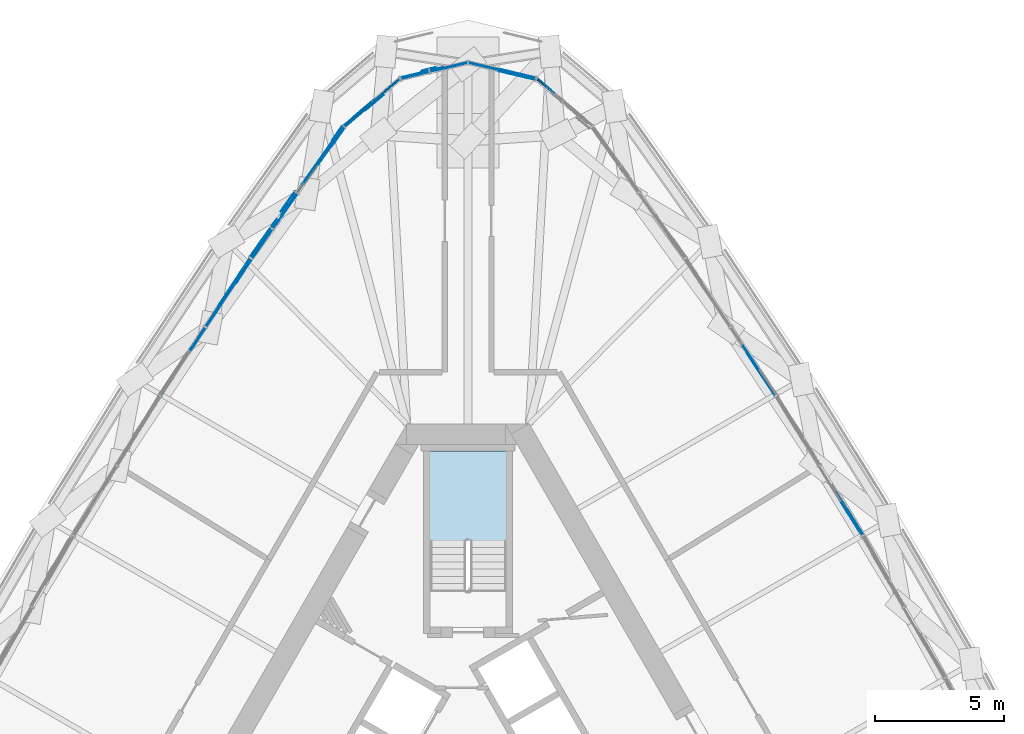
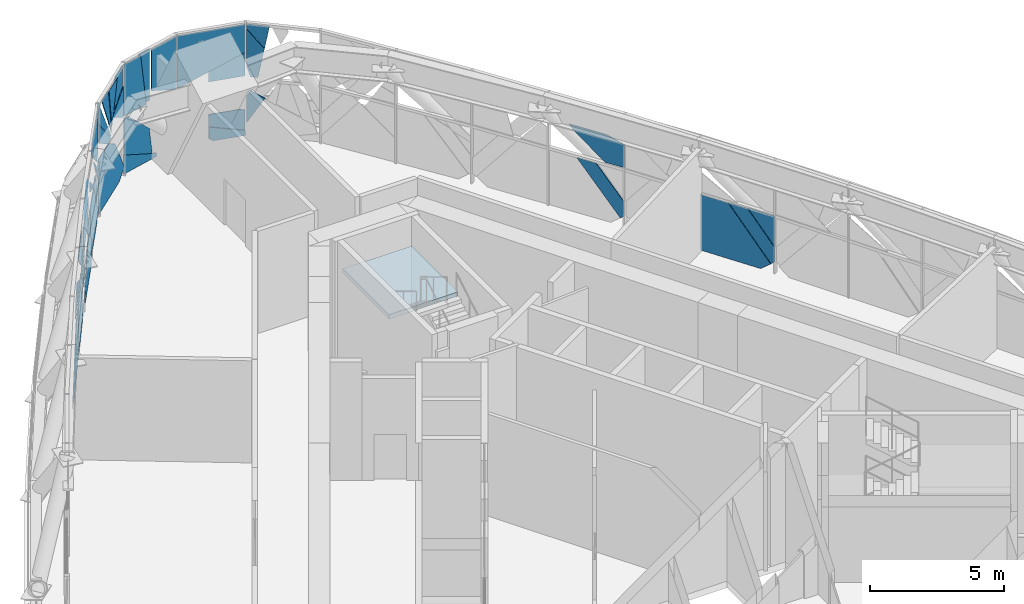
# One storey, part 17 of 35: 46 plates, 1 slab, 4 elements without a shape of their own.
"""IFC4 building model written with IfcOpenShell, lengths in metres."""

from ifc_helpers import new_model, si_unit, direction, frame, origin, place, context, subcontext, project, spatial, polyline, outline, extrude, material, layer, layer_set, type_object, element, aggregate, save


model = new_model("IFC4")

# Units and contexts
model_context = context("Model", 3, precision=1e-05, world=origin(), true_north=direction((0.0, 1.0)))
body_context = subcontext(model_context, "Body", "Model", "MODEL_VIEW")
ifc_project = project(units=[si_unit("LENGTHUNIT", "METRE"), si_unit("AREAUNIT", "SQUARE_METRE"), si_unit("VOLUMEUNIT", "CUBIC_METRE"), si_unit("PLANEANGLEUNIT", "RADIAN"), si_unit("MASSUNIT", "GRAM", prefix="KILO")], contexts=[model_context])

# Site, building, storey
site_placement = place(None, origin())
site = spatial("IfcSite", under=ifc_project, at=site_placement, CompositionType="ELEMENT")
building_placement = place(site_placement, origin())
building = spatial("IfcBuilding", under=site, at=building_placement, Name="Mestral Congress Tower", CompositionType="ELEMENT")
storey_placement = place(building_placement, frame((0.0, 0.0, 196.199951171875)))
storey = spatial("IfcBuildingStorey", under=building, at=storey_placement, Name="L46", CompositionType="ELEMENT", Elevation=196.199951171875)

# Stair, slab
ifc_material_1 = material(Name="Concrete C60/75", Category="concrete")
stair_type = type_object("IfcStairType", Name="Exit stair 1400", PredefinedType="HALF_TURN_STAIR", material=ifc_material_1)
placement = place(storey_placement, origin())
stair = element("IfcStair", 1, at=placement, inside=storey, type_object=stair_type, Name="L46 ST2", PredefinedType="HALF_TURN_STAIR")
ifc_layer_1 = layer(ifc_material_1, 0.199951171875)
ifc_layer_set_1 = layer_set([ifc_layer_1], Name="Concrete C60/75")
slab_type = type_object("IfcSlabType", Name="Exit stair landing 200", PredefinedType="LANDING", material=ifc_layer_set_1)
slab_placement = place(storey_placement, frame((0.0, 0.0, 3.85009765625)))
slab = element("IfcSlab", 2, at=slab_placement, type_object=slab_type, Name="ST2 landing 3", PredefinedType="LANDING", context=body_context, shape_type="SweptSolid", body=[
    extrude(outline(polyline([(1.485107421875, 12.300048828125), (-1.485107421875, 12.300048828125), (-1.485107421875, 15.760009765625), (1.485107421875, 15.760009765625), (1.485107421875, 12.300048828125)])), origin(), (0.0, 0.0, 1.0), 0.199951171875),
])
aggregate(stair, [slab])

# Curtain wall, plates
ifc_material_2 = material(Name="Clear low-emissivity double glazing", Category="glass")
curtain_wall_type = type_object("IfcCurtainWallType", Name="Facade refuge band screen", PredefinedType="USERDEFINED", material=ifc_material_2)
curtain_wall_1 = element("IfcCurtainWall", 3, at=placement, inside=storey, type_object=curtain_wall_type, Name="Facade refuge band screen face 2", ObjectType="CURTAIN WALL", PredefinedType="USERDEFINED")
ifc_material_3 = material(Name="Anodised aluminium", Category="aluminium")
ifc_layer_2 = layer(ifc_material_3, 0.028076171875)
ifc_layer_set_2 = layer_set([ifc_layer_2], Name="Anodised aluminium")
plate_type_1 = type_object("IfcPlateType", Name="Facade refuge band screen brace cover panel", PredefinedType="CURTAIN_PANEL", material=ifc_layer_set_2)
plate_1_placement = place(storey_placement, frame((14.234619140625, 14.1689453125, 2.5400390625), z_axis=(0.850278764881, 0.526329093842, 0.001925348446), x_axis=(0.334872517471, -0.538153410569, -0.773467067001)))
plate_1 = element("IfcPlate", 4, at=plate_1_placement, type_object=plate_type_1, Name="Facade refuge band screen brace cover panel", PredefinedType="CURTAIN_PANEL", context=body_context, shape_type="SweptSolid", body=[
    extrude(outline(polyline([(0.0, 0.0), (2.832593526669264, -4.440892098500626e-16), (2.832610907927723, -0.18875986169235204), (2.3094169937433255, -0.6176425484460043), (0.5060840423240298, -0.6175746204056766), (0.0, 0.0)])), origin(), (0.0, 0.0, -1.0), 0.028076171875),
])
plate_2_placement = place(storey_placement, frame((10.791259765625, 19.5458984375, 2.5400390625), z_axis=(0.833860676656, 0.551971683474, 0.001905930456), x_axis=(0.353537420196, -0.531429007859, -0.769801599197)))
plate_2 = element("IfcPlate", 5, at=plate_2_placement, type_object=plate_type_1, Name="Facade refuge band screen brace cover panel", PredefinedType="CURTAIN_PANEL", context=body_context, shape_type="SweptSolid", body=[
    extrude(outline(polyline([(0.0, 0.0), (2.8533757754010676, 0.0), (2.8534942591002186, -0.18374184789580195), (2.328998134584351, -0.6187205462091524), (0.5129761032885829, -0.6186776906798397), (0.0, 0.0)])), origin(), (0.0, 0.0, -1.0), 0.028076171875),
])
plate_3_placement = place(storey_placement, frame((11.906005859375, 17.929931640625, 2.66015625), z_axis=(0.833941200061, 0.551849100828, 0.00215516947), x_axis=(-0.001758120123, -0.001248521838, 0.999997675101)))
plate_3 = element("IfcPlate", 6, at=plate_3_placement, type_object=plate_type_1, Name="Facade refuge band screen brace cover panel", PredefinedType="CURTAIN_PANEL", context=body_context, shape_type="SweptSolid", body=[
    extrude(outline(polyline([(0.0, 0.0), (1.0551778567469188, 2.0328790734103208e-19), (1.2777826715636722, -0.7340209252037774), (1.277671741692506, -2.299134852512233), (1.071140643496671, -2.124625828417744), (-5.7362280519610833e-05, -0.8032100593490255), (0.0, 0.0)])), origin(), (0.0, 0.0, -1.0), 0.028076171875),
])

curtain_wall_2 = element("IfcCurtainWall", 7, at=placement, inside=storey, type_object=curtain_wall_type, Name="Facade refuge band screen face 3", ObjectType="CURTAIN WALL", PredefinedType="USERDEFINED")
plate_4_placement = place(storey_placement, frame((-4.86474609375, 28.28955078125, 0.339111328125), z_axis=(-0.816689960574, 0.57707318446, 0.002011982599), x_axis=(0.451836177346, 0.637274508102, 0.624279801182)))
plate_4 = element("IfcPlate", 8, at=plate_4_placement, type_object=plate_type_1, Name="Facade refuge band screen brace cover panel", PredefinedType="CURTAIN_PANEL", context=body_context, shape_type="SweptSolid", body=[
    extrude(outline(polyline([(0.0, 0.0), (0.019944942100445208, -1.734723475976807e-18), (0.63020026420499, -0.7633463698859527), (0.6423812914122646, -1.8483720377479997), (0.19014361862786222, -2.665424663963794), (0.031552125432584344, -2.792159945457672), (0.0, 0.0)])), origin(), (0.0, 0.0, -1.0), 0.028076171875),
])
plate_5_placement = place(storey_placement, frame((-8.364013671875, 23.38232421875, 0.334716796875), z_axis=(-0.816614382123, 0.57718035836, 0.001945464812), x_axis=(0.372305964961, 0.524169489247, 0.765920762871)))
plate_5 = element("IfcPlate", 9, at=plate_5_placement, type_object=plate_type_1, Name="Facade refuge band screen brace cover panel", PredefinedType="CURTAIN_PANEL", context=body_context, shape_type="SweptSolid", body=[
    extrude(outline(polyline([(0.0, 0.0), (2.5717100398139126, 0.0), (2.577531202748495, -0.35950533657684036), (2.3586016739285576, -0.6203146896254013), (0.5294999737653878, -0.6204201075034788), (-4.209553199319149e-05, -0.1758649659277557), (0.0, 0.0)])), origin(), (0.0, 0.0, -1.0), 0.028076171875),
])
plate_6_placement = place(storey_placement, frame((-7.583984375, 24.353515625, 2.66015625), z_axis=(-0.816641929651, 0.577140869155, 0.002091862193), x_axis=(-0.434960123581, -0.617833478094, 0.655050749363)))
plate_6 = element("IfcPlate", 10, at=plate_6_placement, type_object=plate_type_1, Name="Facade refuge band screen brace cover panel", PredefinedType="CURTAIN_PANEL", context=body_context, shape_type="SweptSolid", body=[
    extrude(outline(polyline([(0.0, 0.0), (1.8236450828980244, 0.0), (1.0413360392181574, -0.9027848255936565), (0.0, 0.0)])), origin(), (0.0, 0.0, -1.0), 0.028076171875),
])
plate_7_placement = place(storey_placement, frame((-8.352783203125, 23.20947265625, 3.93798828125), z_axis=(-0.816682079262, 0.57708484177, 0.001861937594), x_axis=(-0.001520613702, 0.001074497825, -0.999998266593)))
plate_7 = element("IfcPlate", 11, at=plate_7_placement, type_object=plate_type_1, Name="Facade refuge band screen brace cover panel", PredefinedType="CURTAIN_PANEL", context=body_context, shape_type="SweptSolid", body=[
    extrude(outline(polyline([(0.0, 0.0), (0.08325180881545628, 9.026194844178638e-21), (1.2778342922092778, -1.3779165600494252), (1.2778342261209008, -1.4963224926104044), (-2.255247803799234e-07, -1.8012083917126849), (0.0, 0.0)])), origin(), (0.0, 0.0, -1.0), 0.028076171875),
])
plate_8_placement = place(storey_placement, frame((-7.11572265625, 25.217041015625, 2.66015625), z_axis=(-0.816757338614, 0.576977461154, 0.002111667442), x_axis=(0.309051278781, 0.434390163754, 0.846045207254)))
plate_8 = element("IfcPlate", 12, at=plate_8_placement, type_object=plate_type_1, Name="Facade refuge band screen brace cover panel", PredefinedType="CURTAIN_PANEL", context=body_context, shape_type="SweptSolid", body=[
    extrude(outline(polyline([(0.0, 0.0), (1.3230792511462535, 1.1102230246251565e-16), (1.3408428956344967, -0.011193164052453186), (-0.13447750497118566, -0.21341709498124461), (0.0, 0.0)])), origin(), (0.0, 0.0, -1.0), 0.028076171875),
])
plate_9_placement = place(storey_placement, frame((-9.465576171875, 21.617919921875, 2.5400390625), z_axis=(-0.833925307385, 0.551873787364, 0.001975986892), x_axis=(0.341098449607, 0.518235055416, -0.784273087014)))
plate_9 = element("IfcPlate", 13, at=plate_9_placement, type_object=plate_type_1, Name="Facade refuge band screen brace cover panel", PredefinedType="CURTAIN_PANEL", context=body_context, shape_type="SweptSolid", body=[
    extrude(outline(polyline([(0.0, 0.0), (2.7969892460657215, 2.220446049250313e-16), (2.7970931992198156, -0.18744352412004406), (2.250474821206486, -0.6199355160026924), (0.4904242136400584, -0.6199528807427716), (0.0, 0.0)])), origin(), (0.0, 0.0, -1.0), 0.028076171875),
])
plate_10_placement = place(storey_placement, frame((-10.149658203125, 20.583740234375, 2.66015625), z_axis=(-0.833915926526, 0.551888252992, 0.001893065277), x_axis=(0.551889242198, 0.833917420579, 1.92792e-07)))
plate_10 = element("IfcPlate", 14, at=plate_10_placement, type_object=plate_type_1, Name="Facade refuge band screen brace cover panel", PredefinedType="CURTAIN_PANEL", context=body_context, shape_type="SweptSolid", body=[
    extrude(outline(polyline([(0.0, 0.0), (1.1172610114071728, 0.0), (0.9816985899747329, -0.28344758425639094), (-5.773268951611734e-06, -0.8698748209605341), (0.0, 0.0)])), origin(), (0.0, 0.0, -1.0), 0.028076171875),
])
plate_11_placement = place(storey_placement, frame((-8.839599609375, 22.613037109375, 3.93798828125), z_axis=(-0.833869791016, 0.551957371987, 0.002056973545), x_axis=(-0.551958539422, -0.833871555312, 1.58888e-07)))
plate_11 = element("IfcPlate", 15, at=plate_11_placement, type_object=plate_type_1, Name="Facade refuge band screen brace cover panel", PredefinedType="CURTAIN_PANEL", context=body_context, shape_type="SweptSolid", body=[
    extrude(outline(polyline([(0.0, 0.0), (1.467336599240352, 0.0), (1.2794318086951344, -0.23022518807844816), (0.03452470105038942, -1.2778347206257679), (-0.7071332872838348, -1.2778344563372763), (-0.7070584990777358, -0.22607455163793588), (0.0, 0.0)])), origin(), (0.0, 0.0, -1.0), 0.028076171875),
])
plate_12_placement = place(storey_placement, frame((-10.182861328125, 20.53369140625, 2.66015625), z_axis=(-0.833953547971, 0.551830608006, 0.002111846196), x_axis=(0.00175749122, -0.00117096703, 0.999997770028)))
plate_12 = element("IfcPlate", 16, at=plate_12_placement, type_object=plate_type_1, Name="Facade refuge band screen brace cover panel", PredefinedType="CURTAIN_PANEL", context=body_context, shape_type="SweptSolid", body=[
    extrude(outline(polyline([(0.0, 0.0), (0.9055192768186084, 2.185345003916095e-19), (1.0239293896259503, -0.19792518652977809), (6.6885698892405355e-06, -1.0469752196158795), (0.0, 0.0)])), origin(), (0.0, 0.0, -1.0), 0.028076171875),
])

curtain_wall_3 = element("IfcCurtainWall", 17, at=placement, inside=storey, type_object=curtain_wall_type, Name="Facade refuge band screen corner 2", ObjectType="CURTAIN WALL", PredefinedType="USERDEFINED")
plate_13_placement = place(storey_placement, frame((2.68798828125, 30.15576171875, 1.73095703125), z_axis=(0.648338432259, 0.761349411112, 0.002086014307), x_axis=(0.001374215827, 0.001569650959, -0.999997823861)))
plate_13 = element("IfcPlate", 18, at=plate_13_placement, type_object=plate_type_1, Name="Facade refuge band screen brace cover panel", PredefinedType="CURTAIN_PANEL", context=body_context, shape_type="SweptSolid", body=[
    extrude(outline(polyline([(0.0, 0.0), (1.2187527620684944, -6.776263578034403e-20), (0.009541758896099617, -0.7083375577274127), (-0.26879479778284504, -0.1575674409893352), (0.0, 0.0)])), origin(), (0.0, 0.0, -1.0), 0.028076171875),
])
plate_14_placement = place(storey_placement, frame((2.666748046875, 30.130859375, 3.138671875), z_axis=(0.648230954931, 0.761441137295, 0.002005867492), x_axis=(0.230268309135, -0.193519972756, -0.953691001296)))
plate_14 = element("IfcPlate", 19, at=plate_14_placement, type_object=plate_type_1, Name="Facade refuge band screen brace cover panel", PredefinedType="CURTAIN_PANEL", context=body_context, shape_type="SweptSolid", body=[
    extrude(outline(polyline([(0.0, 0.0), (0.5017510307415897, 0.0), (0.5885375974781129, -0.2751749185825417), (-0.6171926858774919, -0.9140004062271248), (-1.6074771406318045, -0.5070478700485805), (0.0, 0.0)])), origin(), (0.0, 0.0, -1.0), 0.028076171875),
])
plate_15_placement = place(storey_placement, frame((2.68359375, 30.150634765625, 5.030029296875), z_axis=(0.648238753623, 0.761434060243, 0.00216568787), x_axis=(0.002193889371, 0.000976469997, -0.999997116674)))
plate_15 = element("IfcPlate", 20, at=plate_15_placement, type_object=plate_type_1, Name="Facade refuge band screen brace cover panel", PredefinedType="CURTAIN_PANEL", context=body_context, shape_type="SweptSolid", body=[
    extrude(outline(polyline([(0.0, 0.0), (0.20581126308708325, 0.0), (1.028545814145964, -0.6851142443855268), (0.0009079063208602857, -0.8749557251188325), (0.0, 0.0)])), origin(), (0.0, 0.0, -1.0), 0.028076171875),
])
plate_16_placement = place(storey_placement, frame((1.23095703125, 30.4755859375, 1.212158203125), z_axis=(0.232889985602, 0.972501036724, 0.0019970419), x_axis=(-0.003477018479, 0.002886150439, -0.999989790187)))
plate_16 = element("IfcPlate", 21, at=plate_16_placement, type_object=plate_type_1, Name="Facade refuge band screen brace cover panel", PredefinedType="CURTAIN_PANEL", context=body_context, shape_type="SweptSolid", body=[
    extrude(outline(polyline([(0.0, 0.0), (0.5527397504965138, 0.0), (0.9810779797531373, -1.418138996341047), (0.06287052466044293, -1.4143969587136926), (-0.004817651385869601, -1.1884489410261587), (0.0, 0.0)])), origin(), (0.0, 0.0, -1.0), 0.028076171875),
])
plate_17_placement = place(storey_placement, frame((1.38623046875, 30.409912109375, 0.0), z_axis=(0.232904389753, 0.972497737289, 0.001922550703), x_axis=(0.972499534612, -0.23290482, -9.8756e-08)))
plate_17 = element("IfcPlate", 22, at=plate_17_placement, type_object=plate_type_1, Name="Facade refuge band screen brace cover panel", PredefinedType="CURTAIN_PANEL", context=body_context, shape_type="SweptSolid", body=[
    extrude(outline(polyline([(0.0, 0.0), (1.24767564033744, 0.0), (1.2477893411403278, -0.2253422933610576), (-0.16865859508122172, -0.6594249560857843), (-0.17066169803139228, -0.12548842222611084), (0.0, 0.0)])), origin(), (0.0, 0.0, -1.0), 0.028076171875),
])
plate_18_placement = place(storey_placement, frame((0.147216796875, 30.750732421875, 2.66015625), z_axis=(0.232891885716, 0.972500469749, 0.002050830575), x_axis=(0.892301648251, -0.214523729708, 0.397211955915)))
plate_18 = element("IfcPlate", 23, at=plate_18_placement, type_object=plate_type_1, Name="Facade refuge band screen brace cover panel", PredefinedType="CURTAIN_PANEL", context=body_context, shape_type="SweptSolid", body=[
    extrude(outline(polyline([(0.0, 0.0), (2.759100179590134, 2.220446049250313e-16), (3.2649889291789753, -1.1691749062853851), (0.8329937661824718, -2.221797348520135), (-0.10825401181762995, -0.04685507758336911), (0.0, 0.0)])), origin(), (0.0, 0.0, -1.0), 0.028076171875),
])
plate_19_placement = place(storey_placement, frame((1.249755859375, 30.5185546875, 3.1474609375), z_axis=(0.233045420169, 0.972463649016, 0.002069657307), x_axis=(-0.003515432945, 0.002970692978, -0.999989408301)))
plate_19 = element("IfcPlate", 24, at=plate_19_placement, type_object=plate_type_1, Name="Facade refuge band screen brace cover panel", PredefinedType="CURTAIN_PANEL", context=body_context, shape_type="SweptSolid", body=[
    extrude(outline(polyline([(0.0, 0.0), (0.48730988553650734, 4.336808689942018e-19), (0.48152200484331853, -1.407898635120724), (-0.6144184637198336, -1.4034304723411894), (0.0, 0.0)])), origin(), (0.0, 0.0, -1.0), 0.028076171875),
])
plate_20_placement = place(storey_placement, frame((-0.97119140625, 30.58935546875, 0.165283203125), z_axis=(-0.232897781847, 0.972499377822, 0.001892973046), x_axis=(-0.89229915936, -0.214464381661, 0.397249593083)))
plate_20 = element("IfcPlate", 25, at=plate_20_placement, type_object=plate_type_1, Name="Facade refuge band screen brace cover panel", PredefinedType="CURTAIN_PANEL", context=body_context, shape_type="SweptSolid", body=[
    extrude(outline(polyline([(0.0, 0.0), (1.8449617364918431, 1.1102230246251565e-16), (1.4882239666420185, -0.8243134280972167), (-0.06571104465302284, -0.15165965105394488), (0.0, 0.0)])), origin(), (0.0, 0.0, -1.0), 0.028076171875),
])
plate_21_placement = place(storey_placement, frame((-2.377685546875, 30.216552734375, 2.5400390625), z_axis=(-0.232861810576, 0.972507761736, 0.00200762025), x_axis=(-0.972509722048, -0.232862278013, -9.4438e-07)))
plate_21 = element("IfcPlate", 26, at=plate_21_placement, type_object=plate_type_1, Name="Facade refuge band screen brace cover panel", PredefinedType="CURTAIN_PANEL", context=body_context, shape_type="SweptSolid", body=[
    extrude(outline(polyline([(0.0, 0.0), (0.2384628840465005, -2.710505431213761e-20), (0.23867508625093892, -1.6418490473803071), (-1.2126309361385377, -2.2700253681346423), (-1.0556744177389226, -1.03955426591794), (0.0, 0.0)])), origin(), (0.0, 0.0, -1.0), 0.028076171875),
])
plate_22_placement = place(storey_placement, frame((-2.6083984375, 30.15625, 5.030029296875), z_axis=(-0.232908345108, 0.97249664646, 0.001993841266), x_axis=(-0.000508186669, 0.001928517072, -0.999998011282)))
plate_22 = element("IfcPlate", 27, at=plate_22_placement, type_object=plate_type_1, Name="Facade refuge band screen brace cover panel", PredefinedType="CURTAIN_PANEL", context=body_context, shape_type="SweptSolid", body=[
    extrude(outline(polyline([(0.0, 0.0), (2.369877899969076, 3.5236570605778894e-19), (2.3698261414277146, -1.1460022797451708), (-3.785423967547048e-05, -0.8435270542301764), (0.0, 0.0)])), origin(), (0.0, 0.0, -1.0), 0.028076171875),
])
plate_23_placement = place(storey_placement, frame((-1.812744140625, 30.455810546875, 5.030029296875), z_axis=(-0.232738822856, 0.972537163373, 0.002026374815), x_axis=(0.122641321082, 0.031416245909, -0.991953691387)))
plate_23 = element("IfcPlate", 28, at=plate_23_placement, type_object=plate_type_1, Name="Facade refuge band screen brace cover panel", PredefinedType="CURTAIN_PANEL", context=body_context, shape_type="SweptSolid", body=[
    extrude(outline(polyline([(0.0, 0.0), (2.389096745930601, 0.0), (2.422235794543761, -0.2596886286787602), (0.07016875757669544, -0.5498586430875125), (0.0, 0.0)])), origin(), (0.0, 0.0, -1.0), 0.028076171875),
])
plate_24_placement = place(storey_placement, frame((-1.2490234375, 30.48193359375, 5.030029296875), z_axis=(-0.232862791142, 0.972507514005, 0.002013878276), x_axis=(0.003611387497, 0.002935518953, -0.999989170246)))
plate_24 = element("IfcPlate", 29, at=plate_24_placement, type_object=plate_type_1, Name="Facade refuge band screen brace cover panel", PredefinedType="CURTAIN_PANEL", context=body_context, shape_type="SweptSolid", body=[
    extrude(outline(polyline([(0.0, 0.0), (1.8825884257890657, 0.0), (2.3746154965129582, -1.1241575427549997), (2.3751101572176325, -1.242115525095463), (0.005253567008084376, -1.2521657499520062), (0.0, 0.0)])), origin(), (0.0, 0.0, -1.0), 0.028076171875),
])
plate_25_placement = place(storey_placement, frame((-4.764404296875, 28.30517578125, 3.291259765625), z_axis=(-0.648224738833, 0.76144639902, 0.002017271463), x_axis=(0.632887889274, 0.540251246385, -0.554600315894)))
plate_25 = element("IfcPlate", 30, at=plate_25_placement, type_object=plate_type_1, Name="Facade refuge band screen brace cover panel", PredefinedType="CURTAIN_PANEL", context=body_context, shape_type="SweptSolid", body=[
    extrude(outline(polyline([(0.0, 0.0), (1.1379428047709452, 1.1102230246251565e-16), (1.4738693645171603, -0.22389336537929394), (-0.4704191535697676, -0.7054388636694674), (0.0, 0.0)])), origin(), (0.0, 0.0, -1.0), 0.028076171875),
])
plate_26_placement = place(storey_placement, frame((-4.8037109375, 28.35107421875, 5.030029296875), z_axis=(-0.648192895297, 0.761473265161, 0.002106402623), x_axis=(-0.001348290053, 0.001618501887, -0.99999778128)))
plate_26 = element("IfcPlate", 31, at=plate_26_placement, type_object=plate_type_1, Name="Facade refuge band screen brace cover panel", PredefinedType="CURTAIN_PANEL", context=body_context, shape_type="SweptSolid", body=[
    extrude(outline(polyline([(0.0, 0.0), (0.8908711807503654, 4.0657581468206416e-20), (2.369908566519543, -1.3507747110519297), (2.369912044267036, -1.5021395304685858), (2.5426789608820816e-06, -0.11413280436120643), (0.0, 0.0)])), origin(), (0.0, 0.0, -1.0), 0.028076171875),
])
plate_27_placement = place(storey_placement, frame((-4.53369140625, 28.4970703125, 5.030029296875), z_axis=(-0.64818506312, 0.761480121822, 0.002036668478), x_axis=(0.346036378033, 0.296932550738, -0.889994317617)))
plate_27 = element("IfcPlate", 32, at=plate_27_placement, type_object=plate_type_1, Name="Facade refuge band screen brace cover panel", PredefinedType="CURTAIN_PANEL", context=body_context, shape_type="SweptSolid", body=[
    extrude(outline(polyline([(0.0, 0.0), (2.43127210651144, 1.1102230246251565e-16), (0.32424739801537195, -0.6328929485075022), (0.0, 0.0)])), origin(), (0.0, 0.0, -1.0), 0.028076171875),
])
plate_28_placement = place(storey_placement, frame((-3.97412109375, 28.9365234375, 5.030029296875), z_axis=(-0.648211329848, 0.76145781674, 0.002016229618), x_axis=(0.136270541011, 0.118608228694, -0.983545844249)))
plate_28 = element("IfcPlate", 33, at=plate_28_placement, type_object=plate_type_1, Name="Facade refuge band screen brace cover panel", PredefinedType="CURTAIN_PANEL", context=body_context, shape_type="SweptSolid", body=[
    extrude(outline(polyline([(0.0, 0.0), (1.8937081977586627, 5.551115123125783e-17), (0.16785120313424134, -0.9138758305278787), (0.0, 0.0)])), origin(), (0.0, 0.0, -1.0), 0.028076171875),
])
plate_29_placement = place(storey_placement, frame((-3.72412109375, 29.269287109375, 3.3701171875), z_axis=(-0.648250234687, 0.761424541565, 0.002073820443), x_axis=(0.680148347923, 0.577825832817, 0.45112695746)))
plate_29 = element("IfcPlate", 34, at=plate_29_placement, type_object=plate_type_1, Name="Facade refuge band screen brace cover panel", PredefinedType="CURTAIN_PANEL", context=body_context, shape_type="SweptSolid", body=[
    extrude(outline(polyline([(0.0, 0.0), (1.5277492629725662, 0.0), (1.9658094968470454, -0.8662401960337134), (1.2155516289021986, -1.2454868142650235), (0.0, 0.0)])), origin(), (0.0, 0.0, -1.0), 0.028076171875),
])
plate_30_placement = place(storey_placement, frame((-2.66748046875, 30.131591796875, 2.66015625), z_axis=(-0.648267412548, 0.76141005972, 0.00202059026), x_axis=(0.00134401333, -0.00150944432, 0.999997957601)))
plate_30 = element("IfcPlate", 35, at=plate_30_placement, type_object=plate_type_1, Name="Facade refuge band screen brace cover panel", PredefinedType="CURTAIN_PANEL", context=body_context, shape_type="SweptSolid", body=[
    extrude(outline(polyline([(0.0, 0.0), (1.3991730058877927, 5.014435047745458e-19), (0.7860800450382346, -1.213094178005638), (-1.2869655437272885e-06, -0.03376279433885821), (0.0, 0.0)])), origin(), (0.0, 0.0, -1.0), 0.028076171875),
])

# Plate
ifc_layer_3 = layer(ifc_material_2, 0.028076171875)
ifc_layer_set_3 = layer_set([ifc_layer_3], Name="Clear low-emissivity double glazing")
plate_type_2 = type_object("IfcPlateType", Name="Facade refuge band screen panel", PredefinedType="CURTAIN_PANEL", material=ifc_layer_set_3)
plate_31_placement = place(storey_placement, frame((15.28173828125, 12.53369140625, 2.5400390625), z_axis=(0.850399756768, 0.52613278094, 0.002133192199), x_axis=(-0.52613397803, 0.850401691651, 0.0)))
plate_31 = element("IfcPlate", 36, at=plate_31_placement, type_object=plate_type_2, Name="Refuge screen glass unit", PredefinedType="CURTAIN_PANEL", context=body_context, shape_type="SweptSolid", body=[
    extrude(outline(polyline([(0.0, 0.0), (1.1428996880735405, 2.168404344971009e-19), (0.00016881642120592172, -1.394778564104786), (0.0, 0.0)])), origin(), (0.0, 0.0, -1.0), 0.028076171875),
])

plate_32_placement = place(storey_placement, frame((13.587890625, 15.1572265625, 2.5400390625), z_axis=(0.850368701421, 0.526183372401, 0.002032302399), x_axis=(0.001734139611, 0.001059782925, -0.999997934808)))
plate_32 = element("IfcPlate", 37, at=plate_32_placement, type_object=plate_type_2, Name="Refuge screen glass unit", PredefinedType="CURTAIN_PANEL", context=body_context, shape_type="SweptSolid", body=[
    extrude(outline(polyline([(0.0, 0.0), (2.540044283658698, 1.07742590890747e-18), (2.540073053034258, -2.5500244604812345), (2.1909560090112885, -2.9762089280847146), (1.3305209841542927e-05, -1.180838168904082), (0.0, 0.0)])), origin(), (0.0, 0.0, -1.0), 0.028076171875),
])

aggregate(curtain_wall_1, [plate_31, plate_32, plate_1, plate_2, plate_3])

plate_33_placement = place(storey_placement, frame((-6.596923828125, 25.787353515625, 0.0), z_axis=(-0.816641843184, 0.577141281391, 0.002010292457), x_axis=(0.577142447618, 0.816643493305, 1.7953e-08)))
plate_33 = element("IfcPlate", 38, at=plate_33_placement, type_object=plate_type_2, Name="Refuge screen glass unit", PredefinedType="CURTAIN_PANEL", context=body_context, shape_type="SweptSolid", body=[
    extrude(outline(polyline([(0.0, 0.0), (2.6087081535742733, 4.336808689942018e-19), (3.043192029505588, -0.33911177144844223), (1.3247483767694557, -2.5400443198240015), (2.9019710352286383e-06, -2.540044142756755), (0.0, 0.0)])), origin(), (0.0, 0.0, -1.0), 0.028076171875),
])

plate_34_placement = place(storey_placement, frame((-4.87841796875, 28.318603515625, 1.328857421875), z_axis=(-0.816831571935, 0.576873542326, 0.001760469618), x_axis=(0.001263155879, -0.001263155879, 0.999998404436)))
plate_34 = element("IfcPlate", 39, at=plate_34_placement, type_object=plate_type_2, Name="Refuge screen glass unit", PredefinedType="CURTAIN_PANEL", context=body_context, shape_type="SweptSolid", body=[
    extrude(outline(polyline([(0.0, 0.0), (0.5798349095387356, -5.421010862427522e-20), (0.8554283226071447, -0.6675862977106308), (0.0, 0.0)])), origin(), (0.0, 0.0, -1.0), 0.028076171875),
])

plate_35_placement = place(storey_placement, frame((-4.78125, 28.249755859375, 1.90869140625), z_axis=(-0.816772101409, 0.576957361628, 0.001880750545), x_axis=(0.001501893558, -0.001133606228, 0.999998229625)))
plate_35 = element("IfcPlate", 40, at=plate_35_placement, type_object=plate_type_2, Name="Refuge screen glass unit", PredefinedType="CURTAIN_PANEL", context=body_context, shape_type="SweptSolid", body=[
    extrude(outline(polyline([(0.0, 0.0), (0.5859387596416863, 1.0842021724855044e-19), (0.6313523754727656, -0.056419585409683226), (0.6314009276350505, -0.8788197596710735), (0.2258632363628065, -0.5474905318495452), (0.0, 0.0)])), origin(), (0.0, 0.0, -1.0), 0.028076171875),
])

plate_36_placement = place(storey_placement, frame((-5.99658203125, 26.67919921875, 2.8603515625), z_axis=(-0.81671616062, 0.577036696895, 0.001833962494), x_axis=(-0.448731116784, -0.637108993779, 0.626683743906)))
plate_36 = element("IfcPlate", 41, at=plate_36_placement, type_object=plate_type_2, Name="Refuge screen glass unit", PredefinedType="CURTAIN_PANEL", context=body_context, shape_type="SweptSolid", body=[
    extrude(outline(polyline([(0.0, 0.0), (0.9529020240748428, -5.551115123125783e-17), (0.6670737010885387, -0.324982130042583), (-0.24307823935796516, -0.05734594698116427), (0.0, 0.0)])), origin(), (0.0, 0.0, -1.0), 0.028076171875),
])

plate_37_placement = place(storey_placement, frame((-6.143310546875, 26.412109375, 5.030029296875), z_axis=(-0.816660876463, 0.577114781165, 0.001882077559), x_axis=(-0.498459162252, -0.703706126214, -0.506296505514)))
plate_37 = element("IfcPlate", 42, at=plate_37_placement, type_object=plate_type_2, Name="Refuge screen glass unit", PredefinedType="CURTAIN_PANEL", context=body_context, shape_type="SweptSolid", body=[
    extrude(outline(polyline([(0.0, 0.0), (0.47931485683382524, 0.0), (0.4251542511299051, -0.4088983114423278), (0.20234085834798082, -0.9963681067861684), (-0.8644922690735946, -3.044201043183338), (-1.9720015601914322, -1.1577766327888388), (0.0, 0.0)])), origin(), (0.0, 0.0, -1.0), 0.028076171875),
])

plate_38_placement = place(storey_placement, frame((-4.851806640625, 28.299560546875, 2.66015625), z_axis=(-0.816740710428, 0.577002022995, 0.001810356333), x_axis=(0.001293413458, -0.001306702259, 0.999998309804)))
plate_38 = element("IfcPlate", 43, at=plate_38_placement, type_object=plate_type_2, Name="Refuge screen glass unit", PredefinedType="CURTAIN_PANEL", context=body_context, shape_type="SweptSolid", body=[
    extrude(outline(polyline([(0.0, 0.0), (0.18237337342267973, 3.3881317890172014e-20), (1.4088333417068861, -1.9562714931956484), (6.601860691804768e-05, -0.20564988498241835), (0.0, 0.0)])), origin(), (0.0, 0.0, -1.0), 0.028076171875),
])

plate_39_placement = place(storey_placement, frame((-5.14599609375, 27.779296875, 2.66015625), z_axis=(-0.816398166458, 0.577483523065, 0.002610439171), x_axis=(-0.434951502292, -0.617859239902, 0.655032175028)))
plate_39 = element("IfcPlate", 44, at=plate_39_placement, type_object=plate_type_2, Name="Refuge screen glass unit", PredefinedType="CURTAIN_PANEL", context=body_context, shape_type="SweptSolid", body=[
    extrude(outline(polyline([(0.0, 0.0), (1.733872366576979, -1.1102230246251565e-16), (0.28877447916658966, -0.2503407322114394), (0.0, 0.0)])), origin(), (0.0, 0.0, -1.0), 0.028076171875),
])

plate_40_placement = place(storey_placement, frame((-8.416015625, 23.254150390625, 1.13916015625), z_axis=(-0.816666981243, 0.577105797625, 0.001984967482), x_axis=(0.372282219947, 0.524185112131, 0.765921612785)))
plate_40 = element("IfcPlate", 45, at=plate_40_placement, type_object=plate_type_2, Name="Refuge screen glass unit", PredefinedType="CURTAIN_PANEL", context=body_context, shape_type="SweptSolid", body=[
    extrude(outline(polyline([(0.0, 0.0), (1.829010805891683, 2.220446049250313e-16), (1.0728856099501278, -0.9007696301174676), (0.0, 0.0)])), origin(), (0.0, 0.0, -1.0), 0.028076171875),
])

plate_41_placement = place(storey_placement, frame((-6.593994140625, 25.7119140625, 0.0), z_axis=(-0.816661867183, 0.57711298405, 0.001999582399), x_axis=(0.001667428384, -0.001105248431, 0.999997999052)))
plate_41 = element("IfcPlate", 46, at=plate_41_placement, type_object=plate_type_2, Name="Refuge screen glass unit", PredefinedType="CURTAIN_PANEL", context=body_context, shape_type="SweptSolid", body=[
    extrude(outline(polyline([(0.0, 0.0), (1.2028837352725692, -6.776263578034403e-20), (2.3043721437032376, -1.2706991045085239), (0.33454336899387155, -2.9240191400631006), (-0.00015032746009318665, -2.525382694518801), (0.0, 0.0)])), origin(), (0.0, 0.0, -1.0), 0.028076171875),
])

plate_42_placement = place(storey_placement, frame((-6.62939453125, 25.737060546875, 1.202880859375), z_axis=(-0.816769259013, 0.576961653236, 0.001796726631), x_axis=(0.001437498928, -0.001079133753, 0.999998384532)))
plate_42 = element("IfcPlate", 47, at=plate_42_placement, type_object=plate_type_2, Name="Refuge screen glass unit", PredefinedType="CURTAIN_PANEL", context=body_context, shape_type="SweptSolid", body=[
    extrude(outline(polyline([(0.0, 0.0), (1.3371604313665173, -4.0657581468206416e-20), (1.3372009961799378, -0.7810777454560265), (0.9102124129883509, -1.050036019828369), (0.0, 0.0)])), origin(), (0.0, 0.0, -1.0), 0.028076171875),
])

plate_43_placement = place(storey_placement, frame((-10.125, 20.5673828125, 2.5400390625), z_axis=(-0.83385781804, 0.551975617094, 0.002014305798), x_axis=(-0.001690850431, 0.001094926735, -0.999997971078)))
plate_43 = element("IfcPlate", 48, at=plate_43_placement, type_object=plate_type_2, Name="Refuge screen glass unit", PredefinedType="CURTAIN_PANEL", context=body_context, shape_type="SweptSolid", body=[
    extrude(outline(polyline([(0.0, 0.0), (2.5400438671259025, 1.3552527156068805e-20), (2.539992699161875, -2.5377404217732966), (2.1935474552723573, -2.9753586766322067), (-2.5422335041069746e-05, -1.2400238751929247), (0.0, 0.0)])), origin(), (0.0, 0.0, -1.0), 0.028076171875),
])

plate_44_placement = place(storey_placement, frame((-8.376708984375, 23.154541015625, 2.5400390625), z_axis=(-0.83397002089, 0.551806437415, 0.001913082563), x_axis=(-0.551807447191, -0.833971547011, 0.0)))
plate_44 = element("IfcPlate", 49, at=plate_44_placement, type_object=plate_type_2, Name="Refuge screen glass unit", PredefinedType="CURTAIN_PANEL", context=body_context, shape_type="SweptSolid", body=[
    extrude(outline(polyline([(0.0, 0.0), (1.0919371704149974, -1.0842021724855044e-19), (-9.170472984686324e-06, -1.3803736197565903), (0.0, 0.0)])), origin(), (0.0, 0.0, -1.0), 0.028076171875),
])

plate_45_placement = place(storey_placement, frame((-10.15966796875, 20.518310546875, 2.5400390625), z_axis=(-0.833870041204, 0.551957332786, 0.001963967108), x_axis=(-0.551958397729, -0.833871649102, -2.71357e-07)))
plate_45 = element("IfcPlate", 50, at=plate_45_placement, type_object=plate_type_2, Name="Refuge screen glass unit", PredefinedType="CURTAIN_PANEL", context=body_context, shape_type="SweptSolid", body=[
    extrude(outline(polyline([(0.0, 0.0), (1.1595133421118176, -2.168404344971009e-19), (3.1223576280633294, -2.367191234594527), (3.122288848490474, -2.5400431282377736), (0.0001868862842362783, -2.540044271884271), (0.0, 0.0)])), origin(), (0.0, 0.0, -1.0), 0.028076171875),
])

aggregate(curtain_wall_2, [plate_33, plate_34, plate_35, plate_4, plate_36, plate_37, plate_38, plate_39, plate_40, plate_41, plate_42, plate_5, plate_6, plate_7, plate_8, plate_43, plate_44, plate_9, plate_10, plate_11, plate_45, plate_12])

plate_46_placement = place(storey_placement, frame((-3.01318359375, 29.843994140625, 0.0), z_axis=(-0.648207649209, 0.761460970904, 0.002008306896), x_axis=(0.657671166353, 0.558521465161, 0.505492245146)))
plate_46 = element("IfcPlate", 51, at=plate_46_placement, type_object=plate_type_2, Name="Refuge screen glass unit", PredefinedType="CURTAIN_PANEL", context=body_context, shape_type="SweptSolid", body=[
    extrude(outline(polyline([(0.0, 0.0), (0.521131356578022, 2.7755575615628914e-17), (0.6469115683711418, -0.2146405644652244), (0.6469807657666362, -1.9742892283929625), (0.24502108067395412, -2.8003038592086145), (-0.7273447331669214, -3.3699687734737407), (-2.011380956648807, -1.1783765784656248), (0.0, 0.0)])), origin(), (0.0, 0.0, -1.0), 0.028076171875),
])

aggregate(curtain_wall_3, [plate_13, plate_14, plate_15, plate_16, plate_17, plate_18, plate_19, plate_20, plate_21, plate_22, plate_23, plate_24, plate_46, plate_25, plate_26, plate_27, plate_28, plate_29, plate_30])

save(model, "model.ifc")
